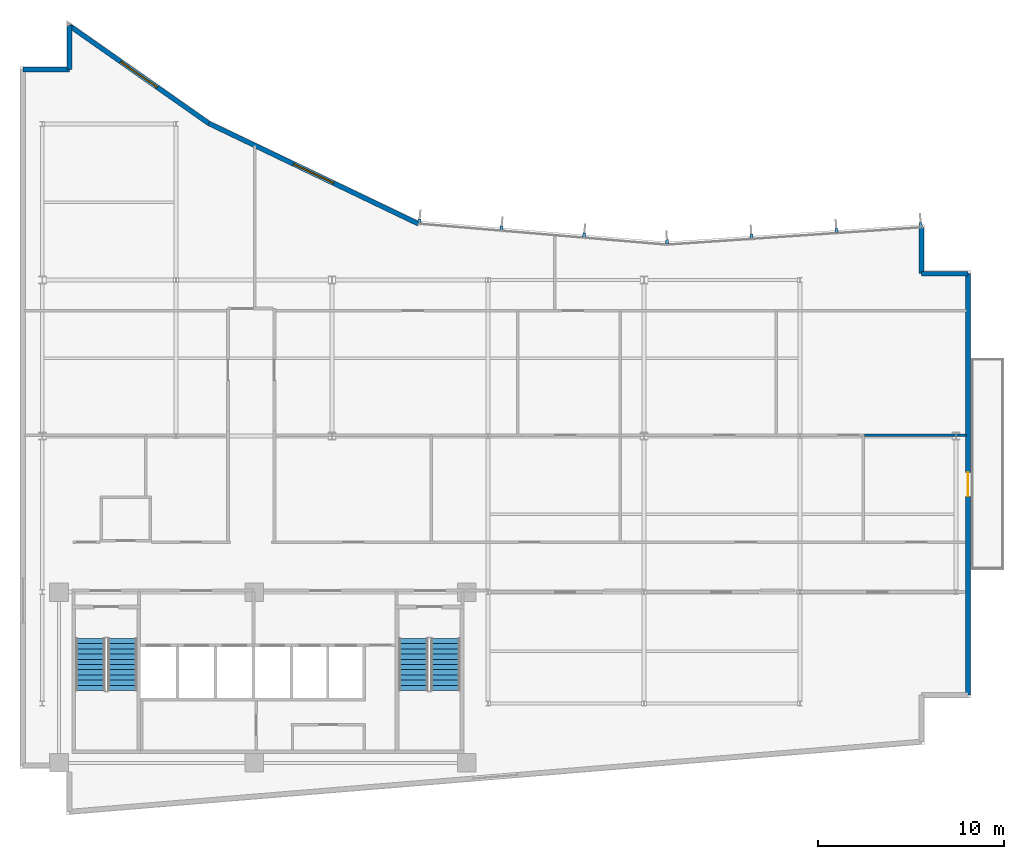
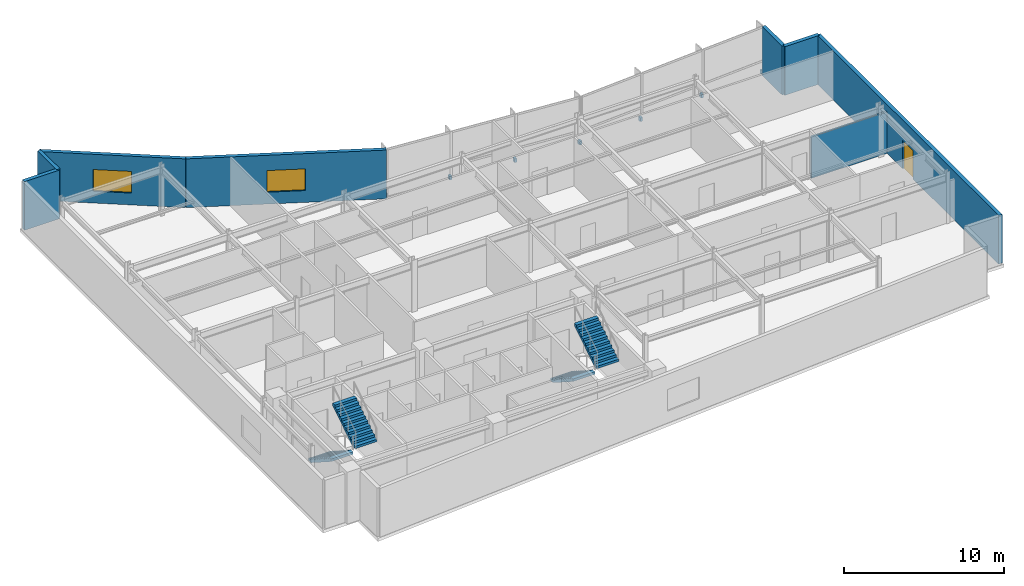
# One storey, part 11 of 14: 8 walls, 7 discrete accessories, 4 stair flights, 2 windows, 1 door, 3 openings, 2 elements without a shape of their own.
"""IFC4 building model written with IfcOpenShell, lengths in metres."""

from ifc_helpers import new_model, si_unit, direction, frame, frame_2d, origin, origin_2d, place, context, subcontext, project, spatial, polyline, rectangle, outline, extrude, material, layer, layer_set, type_object, element, fill, aggregate, save


model = new_model("IFC4")

# Units and contexts
model_context = context("Model", 3, precision=1e-05, world=origin(), true_north=direction((0.0, 1.0)))
body_context = subcontext(model_context, "Body", "Model", "MODEL_VIEW")
ifc_project = project(units=[si_unit("LENGTHUNIT", "METRE"), si_unit("AREAUNIT", "SQUARE_METRE"), si_unit("VOLUMEUNIT", "CUBIC_METRE"), si_unit("PLANEANGLEUNIT", "RADIAN"), si_unit("MASSUNIT", "GRAM", prefix="KILO")], contexts=[model_context])

# Site, building, storey
site_placement = place(None, origin())
site = spatial("IfcSite", under=ifc_project, at=site_placement, CompositionType="ELEMENT")
building_placement = place(site_placement, origin())
building = spatial("IfcBuilding", under=site, at=building_placement, Name="Varnakote Quay Hospital", CompositionType="ELEMENT")
storey_placement = place(building_placement, frame((0.0, 0.0, 215.800048828125)))
storey = spatial("IfcBuildingStorey", under=building, at=storey_placement, Name="L53", CompositionType="ELEMENT", Elevation=215.800048828125)

# Wall, opening, door
ifc_material_1 = material(Name="Precast concrete N50 (f'c 50 MPa)", Category="concrete")
ifc_layer_1 = layer(ifc_material_1, 0.260009765625)
ifc_layer_set_1 = layer_set([ifc_layer_1], Name="Precast concrete N50 (f'c 50 MPa)")
wall_type_1 = type_object("IfcWallType", Name="WL-EXT-BRICK-260", PredefinedType="STANDARD", material=ifc_layer_set_1)
wall_1_placement = place(storey_placement, frame((51.0400390625, 6.4599609375, 0.0), z_axis=(0.0, 0.0, 1.0), x_axis=(0.0, 1.0, 0.0)))
wall_1 = element("IfcWall", 1, at=wall_1_placement, inside=storey, type_object=wall_type_1, Name="L53 Healing Terrace Portal Brick Wall", PredefinedType="STANDARD", context=body_context, shape_type="SweptSolid", body=[
    extrude(rectangle(XDim=22.679931640625, YDim=0.260009765625, at=frame_2d((11.33984375, 0.0))), origin(), (0.0, 0.0, 1.0), 3.7099609375),
])
opening_1_placement = place(wall_1_placement, frame((10.68994140625, 0.0, 0.0)))
opening_1 = element("IfcOpeningElement", 2, at=opening_1_placement, cuts=wall_1, Name="Opening DT-L53", PredefinedType="OPENING", context=body_context, shape_type="SweptSolid", body=[
    extrude(rectangle(XDim=1.300048828125, YDim=2.14990234375, at=frame_2d((0.64990234375, 1.074951171875))), frame((0.0, 0.139892578125, 0.0), z_axis=(0.0, -1.0, 0.0), x_axis=(1.0, 0.0, 0.0)), (0.0, 0.0, 1.0), 0.280029296875),
])
ifc_material_2 = material(Name="Anodised aluminium glazed terrace door", Category="aluminium")
door_type = type_object("IfcDoorType", Name="DR-EXT-TERR-1300x2150", OperationType="NOTDEFINED", PredefinedType="DOOR", material=ifc_material_2)
door_placement = place(opening_1_placement, origin())
door = element("IfcDoor", 3, at=door_placement, inside=storey, type_object=door_type, Name="L53 Waterfront Healing Terrace Door", OperationType="SINGLE_SWING_RIGHT", OverallHeight=2.14990234375, OverallWidth=1.300048828125, PredefinedType="DOOR", context=body_context, shape_type="SweptSolid", body=[
    extrude(rectangle(XDim=1.300048828125, YDim=2.14990234375, at=frame_2d((0.64990234375, 1.074951171875))), frame((0.0, 0.02490234375, 0.0), z_axis=(0.0, -1.0, 0.0), x_axis=(1.0, 0.0, 0.0)), (0.0, 0.0, 1.0), 0.050048828125),
])
fill(opening_1, door)

# Walls
wall_2_placement = place(storey_placement, frame((51.0400390625, 29.139892578125, 0.0), z_axis=(0.0, 0.0, 1.0), x_axis=(-1.0, 0.0, 0.0)))
element("IfcWall", 4, at=wall_2_placement, inside=storey, type_object=wall_type_1, Name="L53 Brick-Faced Precast Exterior Wall", PredefinedType="STANDARD", context=body_context, shape_type="SweptSolid", body=[
    extrude(rectangle(XDim=2.5, YDim=0.260009765625, at=frame_2d((1.25, 0.0))), origin(), (0.0, 0.0, 1.0), 3.7099609375),
])
wall_3_placement = place(storey_placement, frame((48.5400390625, 29.139892578125, 0.0), z_axis=(0.0, 0.0, 1.0), x_axis=(0.0, 1.0, 0.0)))
element("IfcWall", 5, at=wall_3_placement, inside=storey, type_object=wall_type_1, Name="L53 Brick-Faced Precast Exterior Wall", PredefinedType="STANDARD", context=body_context, shape_type="SweptSolid", body=[
    extrude(rectangle(XDim=2.489013671875, YDim=0.260009765625, at=frame_2d((1.24462890625, 0.0))), origin(), (0.0, 0.0, 1.0), 3.7099609375),
])

# Wall, opening, window
wall_4_placement = place(storey_placement, frame((21.461181640625, 31.822998046875, 0.0), z_axis=(0.0, 0.0, 1.0), x_axis=(-0.901858094827, 0.432032379336, 0.0)))
wall_4 = element("IfcWall", 6, at=wall_4_placement, inside=storey, type_object=wall_type_1, Name="L53 Brick-Faced Precast Exterior Wall", PredefinedType="STANDARD", context=body_context, shape_type="SweptSolid", body=[
    extrude(rectangle(XDim=12.5322265625, YDim=0.260009765625, at=frame_2d((6.26611328125, 0.0))), origin(), (0.0, 0.0, 1.0), 3.7099609375),
])
opening_2_placement = place(wall_4_placement, frame((5.066162109375, 0.0, 0.89990234375)))
opening_2 = element("IfcOpeningElement", 7, at=opening_2_placement, cuts=wall_4, Name="Opening WN-0219", PredefinedType="OPENING", context=body_context, shape_type="SweptSolid", body=[
    extrude(rectangle(XDim=2.39990234375, YDim=1.64990234375, at=frame_2d((1.199951171875, 0.824951171875))), frame((0.0, 0.139892578125, 0.0), z_axis=(0.0, -1.0, 0.0), x_axis=(1.0, 0.0, 0.0)), (0.0, 0.0, 1.0), 0.280029296875),
])
ifc_material_3 = material(Name="Double-glazed low-E solar glass", Category="glass")
window_type = type_object("IfcWindowType", Name="WIN-CLIN-2400x1650", PartitioningType="SINGLE_PANEL", PredefinedType="WINDOW", material=ifc_material_3)
window_1_placement = place(opening_2_placement, origin())
window_1 = element("IfcWindow", 8, at=window_1_placement, inside=storey, type_object=window_type, Name="L53 Solar-Control Clinical Window", OverallHeight=1.64990234375, OverallWidth=2.39990234375, PartitioningType="SINGLE_PANEL", PredefinedType="WINDOW", context=body_context, shape_type="SweptSolid", body=[
    extrude(rectangle(XDim=2.39990234375, YDim=1.64990234375, at=frame_2d((1.199951171875, 0.824951171875))), frame((0.0, 0.030029296875, 0.0), z_axis=(0.0, -1.0, 0.0), x_axis=(1.0, 0.0, 0.0)), (0.0, 0.0, 1.0), 0.06005859375),
])
fill(opening_2, window_1)

wall_5_placement = place(storey_placement, frame((10.158935546875, 37.2373046875, 0.0), z_axis=(0.0, 0.0, 1.0), x_axis=(-0.818933702389, 0.57388813465, 0.0)))
wall_5 = element("IfcWall", 9, at=wall_5_placement, inside=storey, type_object=wall_type_1, Name="L53 Brick-Faced Precast Exterior Wall", PredefinedType="STANDARD", context=body_context, shape_type="SweptSolid", body=[
    extrude(rectangle(XDim=9.156982421875, YDim=0.260009765625, at=frame_2d((4.57861328125, 0.0))), origin(), (0.0, 0.0, 1.0), 3.7099609375),
])
opening_3_placement = place(wall_5_placement, frame((3.37841796875, 0.0, 0.89990234375)))
opening_3 = element("IfcOpeningElement", 10, at=opening_3_placement, cuts=wall_5, Name="Opening WN-0220", PredefinedType="OPENING", context=body_context, shape_type="SweptSolid", body=[
    extrude(rectangle(XDim=2.39990234375, YDim=1.64990234375, at=frame_2d((1.199951171875, 0.824951171875))), frame((0.0, 0.139892578125, 0.0), z_axis=(0.0, -1.0, 0.0), x_axis=(1.0, 0.0, 0.0)), (0.0, 0.0, 1.0), 0.280029296875),
])
window_2_placement = place(opening_3_placement, origin())
window_2 = element("IfcWindow", 11, at=window_2_placement, inside=storey, type_object=window_type, Name="L53 Solar-Control Clinical Window", OverallHeight=1.64990234375, OverallWidth=2.39990234375, PartitioningType="SINGLE_PANEL", PredefinedType="WINDOW", context=body_context, shape_type="SweptSolid", body=[
    extrude(rectangle(XDim=2.39990234375, YDim=1.64990234375, at=frame_2d((1.199951171875, 0.824951171875))), frame((0.0, 0.030029296875, 0.0), z_axis=(0.0, -1.0, 0.0), x_axis=(1.0, 0.0, 0.0)), (0.0, 0.0, 1.0), 0.06005859375),
])
fill(opening_3, window_2)

# Walls
wall_6_placement = place(storey_placement, frame((2.659912109375, 42.492431640625, 0.0), z_axis=(0.0, 0.0, 1.0), x_axis=(0.0, -1.0, 0.0)))
element("IfcWall", 12, at=wall_6_placement, inside=storey, type_object=wall_type_1, Name="L53 Brick-Faced Precast Exterior Wall", PredefinedType="STANDARD", context=body_context, shape_type="SweptSolid", body=[
    extrude(rectangle(XDim=2.3525390625, YDim=0.260009765625, at=frame_2d((1.17626953125, 0.0))), origin(), (0.0, 0.0, 1.0), 3.7099609375),
])
wall_7_placement = place(storey_placement, frame((2.659912109375, 40.139892578125, 0.0), z_axis=(0.0, 0.0, 1.0), x_axis=(-1.0, 0.0, 0.0)))
element("IfcWall", 13, at=wall_7_placement, inside=storey, type_object=wall_type_1, Name="L53 Brick-Faced Precast Exterior Wall", PredefinedType="STANDARD", context=body_context, shape_type="SweptSolid", body=[
    extrude(rectangle(XDim=2.5, YDim=0.260009765625, at=frame_2d((1.25, 0.0))), origin(), (0.0, 0.0, 1.0), 3.7099609375),
])
ifc_material_4 = material(Name="Smoke-proof clinical partition", Category="gypsum")
ifc_layer_2 = layer(ifc_material_4, 0.135009765625)
ifc_layer_set_2 = layer_set([ifc_layer_2], Name="Smoke-proof clinical partition")
wall_type_2 = type_object("IfcWallType", Name="WL-SMOKE-135", PredefinedType="PARTITIONING", material=ifc_layer_set_2)
wall_8_placement = place(storey_placement, frame((50.9599609375, 20.43994140625, 0.0), z_axis=(0.0, 0.0, 1.0), x_axis=(-1.0, 0.0, 0.0)))
element("IfcWall", 14, at=wall_8_placement, inside=storey, type_object=wall_type_2, Name="L53 Clinical Interior Partition", PredefinedType="PARTITIONING", context=body_context, shape_type="SweptSolid", body=[
    extrude(rectangle(XDim=5.50244140625, YDim=0.135009765625, at=frame_2d((2.751220703125, 0.0))), origin(), (0.0, 0.0, 1.0), 3.15185546875),
])

# Stair, stair flights
ifc_material_5 = material(Name="Concrete N40 (f'c 40 MPa)", Category="concrete")
stair_type = type_object("IfcStairType", Name="STR-CORE-1580", PredefinedType="HALF_TURN_STAIR", material=ifc_material_5)
stair_1_placement = place(storey_placement, origin())
stair_1 = element("IfcStair", 15, at=stair_1_placement, inside=storey, type_object=stair_type, Name="L53 Fire-Isolated Exit Stair ST-01", PredefinedType="HALF_TURN_STAIR")
ifc_material_6 = material(Name="Concrete N40 (f'c 40 MPa)", Category="concrete")
ifc_layer_3 = layer(ifc_material_6, 0.159912109375)
ifc_layer_set_3 = layer_set([ifc_layer_3], Name="Concrete N40 (f'c 40 MPa)")
stair_flight_type = type_object("IfcStairFlightType", Name="FLT-CORE-1580", PredefinedType="STRAIGHT", material=ifc_layer_set_3)
stair_flight_1_placement = place(storey_placement, frame((3.7900390625, 9.5, 0.0), z_axis=(0.0, 0.0, 1.0), x_axis=(0.0, -1.0, 0.0)))
stair_flight_1 = element("IfcStairFlight", 16, at=stair_flight_1_placement, type_object=stair_flight_type, Name="ST-01 flight 1", NumberOfRisers=11, NumberOfTreads=10, PredefinedType="STRAIGHT", RiserHeight=0.179545455, TreadLength=0.28, context=body_context, shape_type="SweptSolid", body=[
    extrude(outline(polyline([(0.0, 0.0), (0.0, 0.179443359375), (0.280029296875, 0.179443359375), (0.280029296875, 0.359130859375), (0.56005859375, 0.359130859375), (0.56005859375, 0.53857421875), (0.840087890625, 0.53857421875), (0.840087890625, 0.71826171875), (1.1201171875, 0.71826171875), (1.1201171875, 0.897705078125), (1.39990234375, 0.897705078125), (1.39990234375, 1.077392578125), (1.679931640625, 1.077392578125), (1.679931640625, 1.2568359375), (1.9599609375, 1.2568359375), (1.9599609375, 1.436279296875), (2.239990234375, 1.436279296875), (2.239990234375, 1.615966796875), (2.52001953125, 1.615966796875), (2.52001953125, 1.79541015625), (2.800048828125, 1.79541015625), (2.800048828125, 1.97509765625), (2.800048828125, 1.60546875), (0.296142578125, 0.0), (0.0, 0.0)])), frame((0.0, 0.7900390625, 0.0), z_axis=(0.0, -1.0, 0.0), x_axis=(1.0, 0.0, 0.0)), (0.0, 0.0, 1.0), 1.580078125),
])
stair_flight_2_placement = place(storey_placement, frame((5.510009765625, 6.699951171875, 1.974853515625), z_axis=(0.0, 0.0, 1.0), x_axis=(0.0, 1.0, 0.0)))
stair_flight_2 = element("IfcStairFlight", 17, at=stair_flight_2_placement, type_object=stair_flight_type, Name="ST-01 flight 2", NumberOfRisers=11, NumberOfTreads=10, PredefinedType="STRAIGHT", RiserHeight=0.179545455, TreadLength=0.28, context=body_context, shape_type="SweptSolid", body=[
    extrude(outline(polyline([(0.0, 0.0), (0.0, 0.179443359375), (0.280029296875, 0.179443359375), (0.280029296875, 0.359130859375), (0.56005859375, 0.359130859375), (0.56005859375, 0.53857421875), (0.840087890625, 0.53857421875), (0.840087890625, 0.71826171875), (1.1201171875, 0.71826171875), (1.1201171875, 0.897705078125), (1.39990234375, 0.897705078125), (1.39990234375, 1.077392578125), (1.679931640625, 1.077392578125), (1.679931640625, 1.2568359375), (1.9599609375, 1.2568359375), (1.9599609375, 1.436279296875), (2.239990234375, 1.436279296875), (2.239990234375, 1.615966796875), (2.52001953125, 1.615966796875), (2.52001953125, 1.79541015625), (2.800048828125, 1.79541015625), (2.800048828125, 1.97509765625), (2.800048828125, 1.60546875), (0.296142578125, 0.0), (0.0, 0.0)])), frame((0.0, 0.7900390625, 0.0), z_axis=(0.0, -1.0, 0.0), x_axis=(1.0, 0.0, 0.0)), (0.0, 0.0, 1.0), 1.580078125),
])
aggregate(stair_1, [stair_flight_1, stair_flight_2])

stair_2_placement = place(storey_placement, origin())
stair_2 = element("IfcStair", 18, at=stair_2_placement, inside=storey, type_object=stair_type, Name="L53 Fire-Isolated Exit Stair ST-02", PredefinedType="HALF_TURN_STAIR")
stair_flight_3_placement = place(storey_placement, frame((21.18994140625, 9.5, 0.0), z_axis=(0.0, 0.0, 1.0), x_axis=(0.0, -1.0, 0.0)))
stair_flight_3 = element("IfcStairFlight", 19, at=stair_flight_3_placement, type_object=stair_flight_type, Name="ST-02 flight 1", NumberOfRisers=11, NumberOfTreads=10, PredefinedType="STRAIGHT", RiserHeight=0.179545455, TreadLength=0.28, context=body_context, shape_type="SweptSolid", body=[
    extrude(outline(polyline([(0.0, 0.0), (0.0, 0.179443359375), (0.280029296875, 0.179443359375), (0.280029296875, 0.359130859375), (0.56005859375, 0.359130859375), (0.56005859375, 0.53857421875), (0.840087890625, 0.53857421875), (0.840087890625, 0.71826171875), (1.1201171875, 0.71826171875), (1.1201171875, 0.897705078125), (1.39990234375, 0.897705078125), (1.39990234375, 1.077392578125), (1.679931640625, 1.077392578125), (1.679931640625, 1.2568359375), (1.9599609375, 1.2568359375), (1.9599609375, 1.436279296875), (2.239990234375, 1.436279296875), (2.239990234375, 1.615966796875), (2.52001953125, 1.615966796875), (2.52001953125, 1.79541015625), (2.800048828125, 1.79541015625), (2.800048828125, 1.97509765625), (2.800048828125, 1.60546875), (0.296142578125, 0.0), (0.0, 0.0)])), frame((0.0, 0.7900390625, 0.0), z_axis=(0.0, -1.0, 0.0), x_axis=(1.0, 0.0, 0.0)), (0.0, 0.0, 1.0), 1.580078125),
])
stair_flight_4_placement = place(storey_placement, frame((22.909912109375, 6.699951171875, 1.974853515625), z_axis=(0.0, 0.0, 1.0), x_axis=(0.0, 1.0, 0.0)))
stair_flight_4 = element("IfcStairFlight", 20, at=stair_flight_4_placement, type_object=stair_flight_type, Name="ST-02 flight 2", NumberOfRisers=11, NumberOfTreads=10, PredefinedType="STRAIGHT", RiserHeight=0.179545455, TreadLength=0.28, context=body_context, shape_type="SweptSolid", body=[
    extrude(outline(polyline([(0.0, 0.0), (0.0, 0.179443359375), (0.280029296875, 0.179443359375), (0.280029296875, 0.359130859375), (0.56005859375, 0.359130859375), (0.56005859375, 0.53857421875), (0.840087890625, 0.53857421875), (0.840087890625, 0.71826171875), (1.1201171875, 0.71826171875), (1.1201171875, 0.897705078125), (1.39990234375, 0.897705078125), (1.39990234375, 1.077392578125), (1.679931640625, 1.077392578125), (1.679931640625, 1.2568359375), (1.9599609375, 1.2568359375), (1.9599609375, 1.436279296875), (2.239990234375, 1.436279296875), (2.239990234375, 1.615966796875), (2.52001953125, 1.615966796875), (2.52001953125, 1.79541015625), (2.800048828125, 1.79541015625), (2.800048828125, 1.97509765625), (2.800048828125, 1.60546875), (0.296142578125, 0.0), (0.0, 0.0)])), frame((0.0, 0.7900390625, 0.0), z_axis=(0.0, -1.0, 0.0), x_axis=(1.0, 0.0, 0.0)), (0.0, 0.0, 1.0), 1.580078125),
])
aggregate(stair_2, [stair_flight_3, stair_flight_4])

# Discrete accessories
ifc_material_7 = material(Name="Anodised aluminium 6063-T6 Bronze", Category="aluminium")
discrete_accessory_type = type_object("IfcDiscreteAccessoryType", Name="ACC-FIN-BRACKET-180", PredefinedType="BRACKET", material=ifc_material_7)
for number, where, z_axis, x_axis, name in (
    (21, (48.497314453125, 31.776123046875, 0.0), (0.0, 0.0, 1.0), (-0.997696134548, -0.067841160875, 0.0), "L53 Curtain Wall Fin Fixing Bracket"),
    (22, (43.95458984375, 31.46728515625, 0.0), (0.0, 0.0, 1.0), (-0.997696134548, -0.067841160875, 0.0), "L53 Curtain Wall Fin Fixing Bracket"),
    (23, (39.379638671875, 31.15625, 0.0), (0.0, 0.0, 1.0), (-0.997696134548, -0.067841160875, 0.0), "L53 Curtain Wall Fin Fixing Bracket"),
    (24, (34.8369140625, 30.847412109375, 0.0), (0.0, 0.0, 1.0), (-0.997696134548, -0.067841160875, 0.0), "L53 Curtain Wall Fin Fixing Bracket"),
    (25, (30.376220703125, 31.220703125, 0.0), (0.0, 0.0, 1.0), (-0.996448909038, 0.084199594279, 0.0), "L53 Curtain Wall Fin Fixing Bracket"),
    (26, (25.925048828125, 31.5966796875, 0.0), (0.0, 0.0, 1.0), (-0.996448909038, 0.084199594279, 0.0), "L53 Curtain Wall Fin Fixing Bracket"),
    (27, (21.50634765625, 31.9697265625, 0.0), (0.0, 0.0, 1.0), (-0.996448909038, 0.084199594279, 0.0), "L53 Curtain Wall Fin Fixing Bracket"),
):
    element("IfcDiscreteAccessory", number, at=place(storey_placement, frame(where, z_axis=z_axis, x_axis=x_axis)), inside=storey, type_object=discrete_accessory_type, Name=name, PredefinedType="BRACKET", context=body_context, shape_type="SweptSolid", body=[
        extrude(rectangle(XDim=0.159912109375, YDim=0.239990234375, at=origin_2d()), origin(), (0.0, 0.0, 1.0), 0.280029296875),
    ])

save(model, "model.ifc")
